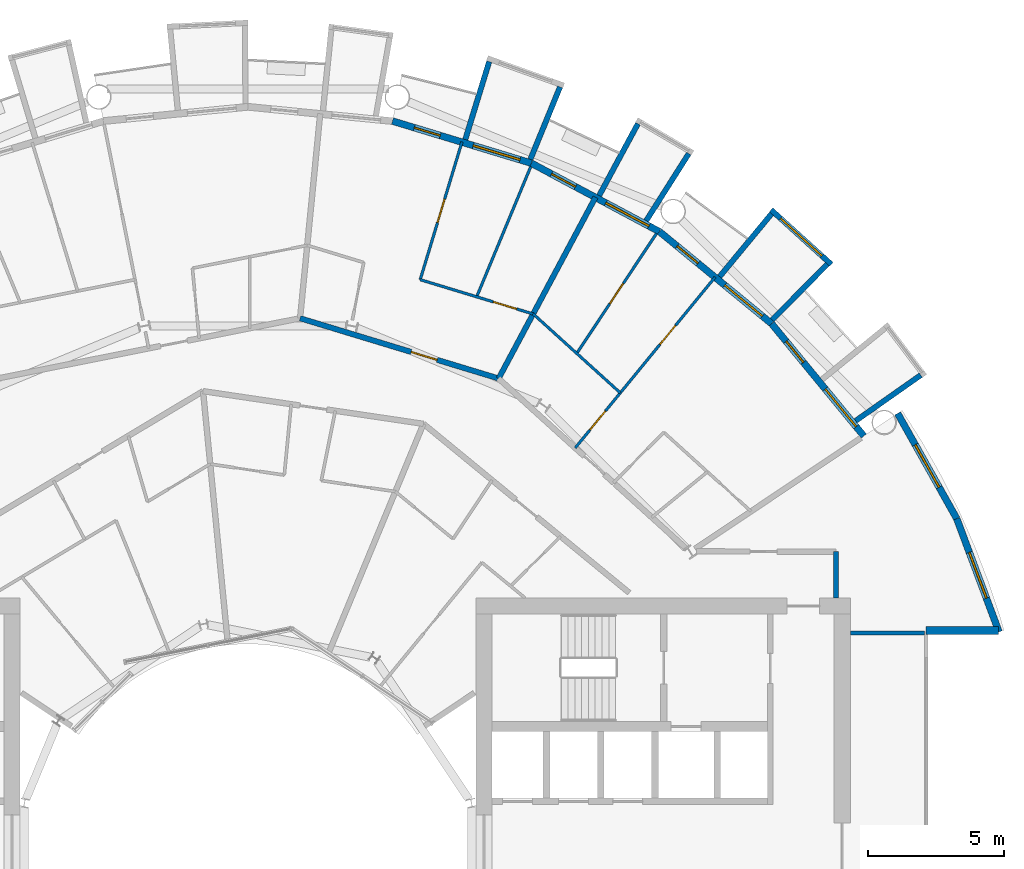
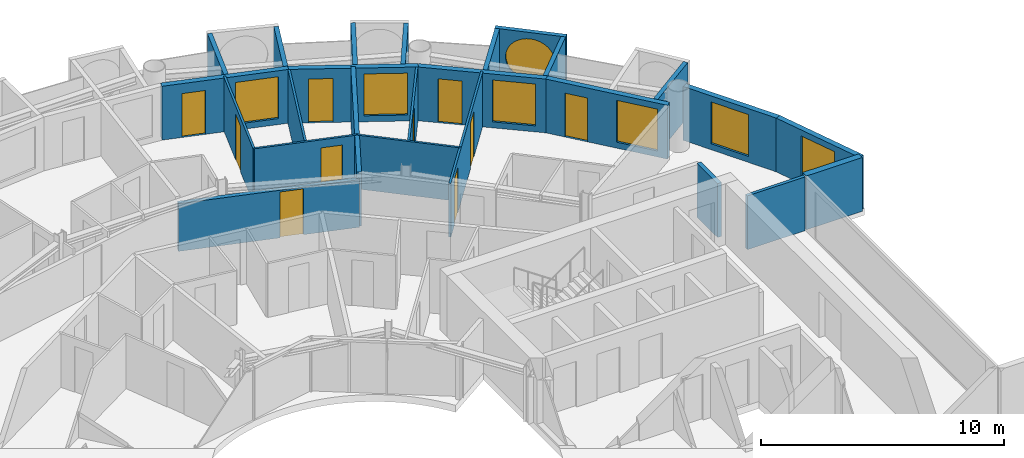
# One storey, part 23 of 28: 25 walls, 10 doors, 7 windows, 17 openings.
"""IFC4 building model written with IfcOpenShell, lengths in metres."""

from ifc_helpers import new_model, si_unit, direction, frame, frame_2d, origin, place, context, subcontext, project, spatial, rectangle, circle, extrude, material, layer, layer_set, type_object, element, fill, save


model = new_model("IFC4")

# Units and contexts
model_context = context("Model", 3, precision=1e-05, world=origin(), true_north=direction((0.0, 1.0)))
body_context = subcontext(model_context, "Body", "Model", "MODEL_VIEW")
ifc_project = project(units=[si_unit("LENGTHUNIT", "METRE"), si_unit("AREAUNIT", "SQUARE_METRE"), si_unit("VOLUMEUNIT", "CUBIC_METRE"), si_unit("PLANEANGLEUNIT", "RADIAN"), si_unit("MASSUNIT", "GRAM", prefix="KILO")], contexts=[model_context])

# Site, building, storey
site_placement = place(None, origin())
site = spatial("IfcSite", under=ifc_project, at=site_placement, CompositionType="ELEMENT")
building_placement = place(site_placement, origin())
building = spatial("IfcBuilding", under=site, at=building_placement, Name="Maasbend Ring Residences", CompositionType="ELEMENT")
storey_placement = place(building_placement, frame((0.0, 0.0, 133.0)))
storey = spatial("IfcBuildingStorey", under=building, at=storey_placement, Name="L38", CompositionType="ELEMENT", Elevation=133.0)

# Wall
ifc_material_1 = material(Name="Concrete C30/37", Category="concrete")
ifc_layer_1 = layer(ifc_material_1, 0.199951171875)
ifc_layer_set_1 = layer_set([ifc_layer_1], Name="Concrete C30/37")
wall_type_1 = type_object("IfcWallType", Name="CORRIDOR WALL 200 CONCRETE", PredefinedType="PARTITIONING", material=ifc_layer_set_1)
wall_1_placement = place(storey_placement, frame((21.675048828125, 9.199951171875, 0.0), z_axis=(0.0, 0.0, 1.0), x_axis=(0.0, 1.0, 0.0)))
element("IfcWall", 1, at=wall_1_placement, inside=storey, type_object=wall_type_1, Name="U-L38-w004", PredefinedType="PARTITIONING", context=body_context, shape_type="SweptSolid", body=[
    extrude(rectangle(XDim=1.699951171875, YDim=0.199951171875, at=frame_2d((0.85009765625, 0.0))), origin(), (0.0, 0.0, 1.0), 2.699951171875),
])

# Wall, opening, door
wall_2_placement = place(storey_placement, frame((1.9208984375, 19.506103515625, 0.0), z_axis=(0.0, 0.0, 1.0), x_axis=(0.956929842753, -0.290319265721, 0.0)))
wall_2 = element("IfcWall", 2, at=wall_2_placement, inside=storey, type_object=wall_type_1, Name="U-L38-w116", PredefinedType="PARTITIONING", context=body_context, shape_type="SweptSolid", body=[
    extrude(rectangle(XDim=7.6474609375, YDim=0.199951171875, at=frame_2d((3.82373046875, 0.0))), origin(), (0.0, 0.0, 1.0), 2.389892578125),
])
opening_1_placement = place(wall_2_placement, frame((4.280029296875, 0.0, 0.0)))
opening_1 = element("IfcOpeningElement", 3, at=opening_1_placement, cuts=wall_2, Name="Opening D-3807", PredefinedType="OPENING", context=body_context, shape_type="SweptSolid", body=[
    extrude(rectangle(XDim=1.0, YDim=2.300048828125, at=frame_2d((0.5, 1.14990234375))), frame((0.0, 0.10986328125, 0.0), z_axis=(0.0, -1.0, 0.0), x_axis=(1.0, 0.0, 0.0)), (0.0, 0.0, 1.0), 0.219970703125),
])
ifc_material_2 = material(Name="Timber, fire-rated, painted", Category="wood")
door_type_1 = type_object("IfcDoorType", Name="FLAT ENTRANCE DOOR 1000 X 2300 FIRE-RATED", OperationType="NOTDEFINED", PredefinedType="DOOR", material=ifc_material_2)
door_1_placement = place(opening_1_placement, origin())
door_1 = element("IfcDoor", 4, at=door_1_placement, inside=storey, type_object=door_type_1, Name="D-3807", OperationType="SINGLE_SWING_RIGHT", OverallHeight=2.300048828125, OverallWidth=1.0, PredefinedType="DOOR", context=body_context, shape_type="SweptSolid", body=[
    extrude(rectangle(XDim=1.0, YDim=2.300048828125, at=frame_2d((0.5, 1.14990234375))), frame((0.0, 0.02490234375, 0.0), z_axis=(0.0, -1.0, 0.0), x_axis=(1.0, 0.0, 0.0)), (0.0, 0.0, 1.0), 0.050048828125),
])
fill(opening_1, door_1)

# Wall
ifc_material_3 = material(Name="Pale anodised aluminium panel", Category="aluminium")
ifc_layer_2 = layer(ifc_material_3, 0.199951171875)
ifc_layer_set_2 = layer_set([ifc_layer_2], Name="EW-BOX")
wall_type_2 = type_object("IfcWallType", Name="EW-BOX", PredefinedType="SOLIDWALL", material=ifc_layer_set_2)
wall_3_placement = place(storey_placement, frame((22.402099609375, 15.72607421875, -0.030029296875), z_axis=(0.0, 0.0, 1.0), x_axis=(0.818275399393, 0.574826383135, 0.0)))
element("IfcWall", 5, at=wall_3_placement, inside=storey, type_object=wall_type_2, Name="Box side wall N01 left", PredefinedType="SOLIDWALL", context=body_context, shape_type="SweptSolid", body=[
    extrude(rectangle(XDim=2.92919921875, YDim=0.199951171875, at=frame_2d((1.464599609375, 0.0))), origin(), (0.0, 0.0, 1.0), 2.72998046875),
])

# Wall, opening, window
wall_4_placement = place(storey_placement, frame((21.5, 21.492919921875, -0.030029296875), z_axis=(0.0, 0.0, 1.0), x_axis=(-0.740998365753, 0.671506829416, 0.0)))
wall_4 = element("IfcWall", 6, at=wall_4_placement, inside=storey, type_object=wall_type_2, Name="Box front N03", PredefinedType="SOLIDWALL", context=body_context, shape_type="SweptSolid", body=[
    extrude(rectangle(XDim=2.9931640625, YDim=0.199951171875, at=frame_2d((1.49658203125, 0.0))), origin(), (0.0, 0.0, 1.0), 2.72998046875),
])
opening_2_placement = place(wall_4_placement, frame((0.45654296875, 0.0, 0.330078125)))
opening_2 = element("IfcOpeningElement", 7, at=opening_2_placement, cuts=wall_4, Name="Opening W-RD", PredefinedType="OPENING", context=body_context, shape_type="SweptSolid", body=[
    extrude(circle(Radius=1.0400390625, at=frame_2d((1.0400390625, 1.0400390625))), frame((0.0, 0.10986328125, 0.0), z_axis=(0.0, -1.0, 0.0), x_axis=(1.0, 0.0, 0.0)), (0.0, 0.0, 1.0), 0.219970703125),
])
ifc_material_4 = material(Name="Aluminium and clear glass", Category="aluminium")
window_type_1 = type_object("IfcWindowType", Name="W-RD", PartitioningType="SINGLE_PANEL", PredefinedType="WINDOW", material=ifc_material_4)
window_1_placement = place(opening_2_placement, origin())
window_1 = element("IfcWindow", 8, at=window_1_placement, inside=storey, type_object=window_type_1, Name="Round window N03", OverallHeight=2.080078125, OverallWidth=2.080078125, PartitioningType="SINGLE_PANEL", PredefinedType="WINDOW", context=body_context, shape_type="SweptSolid", body=[
    extrude(circle(Radius=1.0400390625, at=frame_2d((1.0400390625, 1.0400390625))), frame((0.0, 0.030029296875, 0.0), z_axis=(0.0, -1.0, 0.0), x_axis=(1.0, 0.0, 0.0)), (0.0, 0.0, 1.0), 0.06005859375),
])
fill(opening_2, window_1)

# Walls
wall_5_placement = place(storey_placement, frame((19.322998046875, 19.449951171875, -0.030029296875), z_axis=(0.0, 0.0, 1.0), x_axis=(0.704476739375, 0.709727076896, 0.0)))
element("IfcWall", 9, at=wall_5_placement, inside=storey, type_object=wall_type_2, Name="Box side wall N03 left", PredefinedType="SOLIDWALL", context=body_context, shape_type="SweptSolid", body=[
    extrude(rectangle(XDim=2.883056640625, YDim=0.199951171875, at=frame_2d((1.44140625, 0.0))), origin(), (0.0, 0.0, 1.0), 2.72998046875),
])
wall_6_placement = place(storey_placement, frame((17.384033203125, 21.041015625, -0.030029296875), z_axis=(0.0, 0.0, 1.0), x_axis=(0.63709551667, 0.770784861449, 0.0)))
element("IfcWall", 10, at=wall_6_placement, inside=storey, type_object=wall_type_2, Name="Box side wall N03 right", PredefinedType="SOLIDWALL", context=body_context, shape_type="SweptSolid", body=[
    extrude(rectangle(XDim=3.005859375, YDim=0.199951171875, at=frame_2d((1.5029296875, 0.0))), origin(), (0.0, 0.0, 1.0), 2.72998046875),
])
wall_7_placement = place(storey_placement, frame((14.677978515625, 23.10205078125, -0.030029296875), z_axis=(0.0, 0.0, 1.0), x_axis=(0.536001536573, 0.844217005746, 0.0)))
element("IfcWall", 11, at=wall_7_placement, inside=storey, type_object=wall_type_2, Name="Box side wall N05 left", PredefinedType="SOLIDWALL", context=body_context, shape_type="SweptSolid", body=[
    extrude(rectangle(XDim=2.92919921875, YDim=0.199951171875, at=frame_2d((1.464599609375, 0.0))), origin(), (0.0, 0.0, 1.0), 2.72998046875),
])
wall_8_placement = place(storey_placement, frame((12.945068359375, 24.029052734375, -0.030029296875), z_axis=(0.0, 0.0, 1.0), x_axis=(0.474424310775, 0.88029629861, 0.0)))
element("IfcWall", 12, at=wall_8_placement, inside=storey, type_object=wall_type_2, Name="Box side wall N05 right", PredefinedType="SOLIDWALL", context=body_context, shape_type="SweptSolid", body=[
    extrude(rectangle(XDim=3.005859375, YDim=0.199951171875, at=frame_2d((1.5029296875, 0.0))), origin(), (0.0, 0.0, 1.0), 2.72998046875),
])
wall_9_placement = place(storey_placement, frame((10.408935546875, 25.364013671875, -0.030029296875), z_axis=(0.0, 0.0, 1.0), x_axis=(0.379509886562, 0.925187681501, 0.0)))
element("IfcWall", 13, at=wall_9_placement, inside=storey, type_object=wall_type_2, Name="Box side wall N07 left", PredefinedType="SOLIDWALL", context=body_context, shape_type="SweptSolid", body=[
    extrude(rectangle(XDim=2.882568359375, YDim=0.199951171875, at=frame_2d((1.44140625, 0.0))), origin(), (0.0, 0.0, 1.0), 2.72998046875),
])
wall_10_placement = place(storey_placement, frame((8.009033203125, 26.092041015625, -0.030029296875), z_axis=(0.0, 0.0, 1.0), x_axis=(0.293406695073, 0.955987715029, 0.0)))
element("IfcWall", 14, at=wall_10_placement, inside=storey, type_object=wall_type_2, Name="Box side wall N07 right", PredefinedType="SOLIDWALL", context=body_context, shape_type="SweptSolid", body=[
    extrude(rectangle(XDim=3.00634765625, YDim=0.199951171875, at=frame_2d((1.503173828125, 0.0))), origin(), (0.0, 0.0, 1.0), 2.72998046875),
])

# Wall, openings, door, window
ifc_material_5 = material(Name="Aluminium clad insulated panel", Category="aluminium")
ifc_layer_3 = layer(ifc_material_5, 0.25)
ifc_layer_set_3 = layer_set([ifc_layer_3], Name="EW-GL")
wall_type_3 = type_object("IfcWallType", Name="EW-GL", PredefinedType="SOLIDWALL", material=ifc_layer_set_3)
wall_11_placement = place(storey_placement, frame((22.698974609375, 15.1669921875, 0.0), z_axis=(0.0, 0.0, 1.0), x_axis=(-0.634382322723, 0.773019449054, 0.0)))
wall_11 = element("IfcWall", 15, at=wall_11_placement, inside=storey, type_object=wall_type_3, Name="External wall N01", PredefinedType="SOLIDWALL", context=body_context, shape_type="SweptSolid", body=[
    extrude(rectangle(XDim=5.351806640625, YDim=0.25, at=frame_2d((2.67578125, 0.0))), origin(), (0.0, 0.0, 1.0), 2.699951171875),
])
opening_3_placement = place(wall_11_placement, frame((0.441162109375, 0.0, 0.300048828125)))
opening_3 = element("IfcOpeningElement", 16, at=opening_3_placement, cuts=wall_11, Name="Opening W-BX", PredefinedType="OPENING", context=body_context, shape_type="SweptSolid", body=[
    extrude(rectangle(XDim=1.800048828125, YDim=2.10009765625, at=frame_2d((0.89990234375, 1.050048828125))), frame((0.0, 0.135009765625, 0.0), z_axis=(0.0, -1.0, 0.0), x_axis=(1.0, 0.0, 0.0)), (0.0, 0.0, 1.0), 0.27001953125),
])
opening_4_placement = place(wall_11_placement, frame((3.510498046875, 0.0, 0.0)))
opening_4 = element("IfcOpeningElement", 17, at=opening_4_placement, cuts=wall_11, Name="Opening D-LG", PredefinedType="OPENING", context=body_context, shape_type="SweptSolid", body=[
    extrude(rectangle(XDim=1.0, YDim=2.199951171875, at=frame_2d((0.5, 1.10009765625))), frame((0.0, 0.135009765625, 0.0), z_axis=(0.0, -1.0, 0.0), x_axis=(1.0, 0.0, 0.0)), (0.0, 0.0, 1.0), 0.27001953125),
])
ifc_material_6 = material(Name="Aluminium and clear glass", Category="aluminium")
door_type_2 = type_object("IfcDoorType", Name="D-LG", OperationType="SINGLE_SWING_LEFT", PredefinedType="DOOR", material=ifc_material_6)
door_2_placement = place(opening_4_placement, origin())
door_2 = element("IfcDoor", 18, at=door_2_placement, inside=storey, type_object=door_type_2, Name="Loggia door N02", OperationType="SINGLE_SWING_LEFT", OverallHeight=2.199951171875, OverallWidth=1.0, PredefinedType="DOOR", context=body_context, shape_type="SweptSolid", body=[
    extrude(rectangle(XDim=1.0, YDim=2.199951171875, at=frame_2d((0.5, 1.10009765625))), frame((0.0, 0.02490234375, 0.0), z_axis=(0.0, -1.0, 0.0), x_axis=(1.0, 0.0, 0.0)), (0.0, 0.0, 1.0), 0.050048828125),
])
fill(opening_4, door_2)
ifc_material_7 = material(Name="Aluminium and clear glass", Category="aluminium")
window_type_2 = type_object("IfcWindowType", Name="W-BX", PartitioningType="DOUBLE_PANEL_VERTICAL", PredefinedType="WINDOW", material=ifc_material_7)
window_2_placement = place(opening_3_placement, origin())
window_2 = element("IfcWindow", 19, at=window_2_placement, inside=storey, type_object=window_type_2, Name="Window N01 room to box", OverallHeight=2.10009765625, OverallWidth=1.800048828125, PartitioningType="SINGLE_PANEL", PredefinedType="WINDOW", context=body_context, shape_type="SweptSolid", body=[
    extrude(rectangle(XDim=1.800048828125, YDim=2.10009765625, at=frame_2d((0.89990234375, 1.050048828125))), frame((0.0, 0.030029296875, 0.0), z_axis=(0.0, -1.0, 0.0), x_axis=(1.0, 0.0, 0.0)), (0.0, 0.0, 1.0), 0.06005859375),
])
fill(opening_3, window_2)

wall_12_placement = place(storey_placement, frame((19.303955078125, 19.303955078125, 0.0), z_axis=(0.0, 0.0, 1.0), x_axis=(-0.773019449054, 0.634382322723, 0.0)))
wall_12 = element("IfcWall", 20, at=wall_12_placement, inside=storey, type_object=wall_type_3, Name="External wall N02", PredefinedType="SOLIDWALL", context=body_context, shape_type="SweptSolid", body=[
    extrude(rectangle(XDim=5.351806640625, YDim=0.25, at=frame_2d((2.67578125, 0.0))), origin(), (0.0, 0.0, 1.0), 2.699951171875),
])
opening_5_placement = place(wall_12_placement, frame((0.441162109375, 0.0, 0.300048828125)))
opening_5 = element("IfcOpeningElement", 21, at=opening_5_placement, cuts=wall_12, Name="Opening W-BX", PredefinedType="OPENING", context=body_context, shape_type="SweptSolid", body=[
    extrude(rectangle(XDim=1.800048828125, YDim=2.10009765625, at=frame_2d((0.89990234375, 1.050048828125))), frame((0.0, 0.135009765625, 0.0), z_axis=(0.0, -1.0, 0.0), x_axis=(1.0, 0.0, 0.0)), (0.0, 0.0, 1.0), 0.27001953125),
])
opening_6_placement = place(wall_12_placement, frame((3.510498046875, 0.0, 0.0)))
opening_6 = element("IfcOpeningElement", 22, at=opening_6_placement, cuts=wall_12, Name="Opening D-LG", PredefinedType="OPENING", context=body_context, shape_type="SweptSolid", body=[
    extrude(rectangle(XDim=1.0, YDim=2.199951171875, at=frame_2d((0.5, 1.10009765625))), frame((0.0, 0.135009765625, 0.0), z_axis=(0.0, -1.0, 0.0), x_axis=(1.0, 0.0, 0.0)), (0.0, 0.0, 1.0), 0.27001953125),
])
door_3_placement = place(opening_6_placement, origin())
door_3 = element("IfcDoor", 23, at=door_3_placement, inside=storey, type_object=door_type_2, Name="Loggia door N04", OperationType="SINGLE_SWING_LEFT", OverallHeight=2.199951171875, OverallWidth=1.0, PredefinedType="DOOR", context=body_context, shape_type="SweptSolid", body=[
    extrude(rectangle(XDim=1.0, YDim=2.199951171875, at=frame_2d((0.5, 1.10009765625))), frame((0.0, 0.02490234375, 0.0), z_axis=(0.0, -1.0, 0.0), x_axis=(1.0, 0.0, 0.0)), (0.0, 0.0, 1.0), 0.050048828125),
])
fill(opening_6, door_3)
window_3_placement = place(opening_5_placement, origin())
window_3 = element("IfcWindow", 24, at=window_3_placement, inside=storey, type_object=window_type_2, Name="Window N03 room to box", OverallHeight=2.10009765625, OverallWidth=1.800048828125, PartitioningType="SINGLE_PANEL", PredefinedType="WINDOW", context=body_context, shape_type="SweptSolid", body=[
    extrude(rectangle(XDim=1.800048828125, YDim=2.10009765625, at=frame_2d((0.89990234375, 1.050048828125))), frame((0.0, 0.030029296875, 0.0), z_axis=(0.0, -1.0, 0.0), x_axis=(1.0, 0.0, 0.0)), (0.0, 0.0, 1.0), 0.06005859375),
])
fill(opening_5, window_3)

wall_13_placement = place(storey_placement, frame((15.1669921875, 22.698974609375, 0.0), z_axis=(0.0, 0.0, 1.0), x_axis=(-0.881915646801, 0.471407246368, 0.0)))
wall_13 = element("IfcWall", 25, at=wall_13_placement, inside=storey, type_object=wall_type_3, Name="External wall N03", PredefinedType="SOLIDWALL", context=body_context, shape_type="SweptSolid", body=[
    extrude(rectangle(XDim=5.35205078125, YDim=0.25, at=frame_2d((2.676025390625, 0.0))), origin(), (0.0, 0.0, 1.0), 2.699951171875),
])
opening_7_placement = place(wall_13_placement, frame((0.441162109375, 0.0, 0.300048828125)))
opening_7 = element("IfcOpeningElement", 26, at=opening_7_placement, cuts=wall_13, Name="Opening W-BX", PredefinedType="OPENING", context=body_context, shape_type="SweptSolid", body=[
    extrude(rectangle(XDim=1.800048828125, YDim=2.10009765625, at=frame_2d((0.89990234375, 1.050048828125))), frame((0.0, 0.135009765625, 0.0), z_axis=(0.0, -1.0, 0.0), x_axis=(1.0, 0.0, 0.0)), (0.0, 0.0, 1.0), 0.27001953125),
])
opening_8_placement = place(wall_13_placement, frame((3.510498046875, 0.0, 0.0)))
opening_8 = element("IfcOpeningElement", 27, at=opening_8_placement, cuts=wall_13, Name="Opening D-LG", PredefinedType="OPENING", context=body_context, shape_type="SweptSolid", body=[
    extrude(rectangle(XDim=1.0, YDim=2.199951171875, at=frame_2d((0.5, 1.10009765625))), frame((0.0, 0.135009765625, 0.0), z_axis=(0.0, -1.0, 0.0), x_axis=(1.0, 0.0, 0.0)), (0.0, 0.0, 1.0), 0.27001953125),
])
door_4_placement = place(opening_8_placement, origin())
door_4 = element("IfcDoor", 28, at=door_4_placement, inside=storey, type_object=door_type_2, Name="Loggia door N06", OperationType="SINGLE_SWING_LEFT", OverallHeight=2.199951171875, OverallWidth=1.0, PredefinedType="DOOR", context=body_context, shape_type="SweptSolid", body=[
    extrude(rectangle(XDim=1.0, YDim=2.199951171875, at=frame_2d((0.5, 1.10009765625))), frame((0.0, 0.02490234375, 0.0), z_axis=(0.0, -1.0, 0.0), x_axis=(1.0, 0.0, 0.0)), (0.0, 0.0, 1.0), 0.050048828125),
])
fill(opening_8, door_4)
window_4_placement = place(opening_7_placement, origin())
window_4 = element("IfcWindow", 29, at=window_4_placement, inside=storey, type_object=window_type_2, Name="Window N05 room to box", OverallHeight=2.10009765625, OverallWidth=1.800048828125, PartitioningType="SINGLE_PANEL", PredefinedType="WINDOW", context=body_context, shape_type="SweptSolid", body=[
    extrude(rectangle(XDim=1.800048828125, YDim=2.10009765625, at=frame_2d((0.89990234375, 1.050048828125))), frame((0.0, 0.030029296875, 0.0), z_axis=(0.0, -1.0, 0.0), x_axis=(1.0, 0.0, 0.0)), (0.0, 0.0, 1.0), 0.06005859375),
])
fill(opening_7, window_4)

wall_14_placement = place(storey_placement, frame((10.447021484375, 25.221923828125, 0.0), z_axis=(0.0, 0.0, 1.0), x_axis=(-0.956965678721, 0.290201119486, 0.0)))
wall_14 = element("IfcWall", 30, at=wall_14_placement, inside=storey, type_object=wall_type_3, Name="External wall N04", PredefinedType="SOLIDWALL", context=body_context, shape_type="SweptSolid", body=[
    extrude(rectangle(XDim=5.351318359375, YDim=0.25, at=frame_2d((2.67578125, 0.0))), origin(), (0.0, 0.0, 1.0), 2.699951171875),
])
opening_9_placement = place(wall_14_placement, frame((0.441162109375, 0.0, 0.300048828125)))
opening_9 = element("IfcOpeningElement", 31, at=opening_9_placement, cuts=wall_14, Name="Opening W-BX", PredefinedType="OPENING", context=body_context, shape_type="SweptSolid", body=[
    extrude(rectangle(XDim=1.800048828125, YDim=2.10009765625, at=frame_2d((0.89990234375, 1.050048828125))), frame((0.0, 0.135009765625, 0.0), z_axis=(0.0, -1.0, 0.0), x_axis=(1.0, 0.0, 0.0)), (0.0, 0.0, 1.0), 0.27001953125),
])
opening_10_placement = place(wall_14_placement, frame((3.510498046875, 0.0, 0.0)))
opening_10 = element("IfcOpeningElement", 32, at=opening_10_placement, cuts=wall_14, Name="Opening D-LG", PredefinedType="OPENING", context=body_context, shape_type="SweptSolid", body=[
    extrude(rectangle(XDim=1.0, YDim=2.199951171875, at=frame_2d((0.5, 1.10009765625))), frame((0.0, 0.135009765625, 0.0), z_axis=(0.0, -1.0, 0.0), x_axis=(1.0, 0.0, 0.0)), (0.0, 0.0, 1.0), 0.27001953125),
])
door_5_placement = place(opening_10_placement, origin())
door_5 = element("IfcDoor", 33, at=door_5_placement, inside=storey, type_object=door_type_2, Name="Loggia door N08", OperationType="SINGLE_SWING_LEFT", OverallHeight=2.199951171875, OverallWidth=1.0, PredefinedType="DOOR", context=body_context, shape_type="SweptSolid", body=[
    extrude(rectangle(XDim=1.0, YDim=2.199951171875, at=frame_2d((0.5, 1.10009765625))), frame((0.0, 0.02490234375, 0.0), z_axis=(0.0, -1.0, 0.0), x_axis=(1.0, 0.0, 0.0)), (0.0, 0.0, 1.0), 0.050048828125),
])
fill(opening_10, door_5)
window_5_placement = place(opening_9_placement, origin())
window_5 = element("IfcWindow", 34, at=window_5_placement, inside=storey, type_object=window_type_2, Name="Window N07 room to box", OverallHeight=2.10009765625, OverallWidth=1.800048828125, PartitioningType="SINGLE_PANEL", PredefinedType="WINDOW", context=body_context, shape_type="SweptSolid", body=[
    extrude(rectangle(XDim=1.800048828125, YDim=2.10009765625, at=frame_2d((0.89990234375, 1.050048828125))), frame((0.0, 0.030029296875, 0.0), z_axis=(0.0, -1.0, 0.0), x_axis=(1.0, 0.0, 0.0)), (0.0, 0.0, 1.0), 0.06005859375),
])
fill(opening_9, window_5)

# Wall, opening, window
ifc_material_8 = material(Name="Aluminium clad insulated panel", Category="aluminium")
ifc_layer_4 = layer(ifc_material_8, 0.25)
ifc_layer_set_4 = layer_set([ifc_layer_4], Name="EW-HORN")
wall_type_4 = type_object("IfcWallType", Name="EW-HORN", PredefinedType="SOLIDWALL", material=ifc_layer_set_4)
wall_15_placement = place(storey_placement, frame((27.681884765625, 7.945068359375, 0.0), z_axis=(0.0, 0.0, 1.0), x_axis=(-0.349247811493, 0.937030397675, 0.0)))
wall_15 = element("IfcWall", 35, at=wall_15_placement, inside=storey, type_object=wall_type_4, Name="Horn wall 1.1", PredefinedType="SOLIDWALL", context=body_context, shape_type="SweptSolid", body=[
    extrude(rectangle(XDim=4.4521484375, YDim=0.25, at=frame_2d((2.22607421875, 0.0))), origin(), (0.0, 0.0, 1.0), 2.699951171875),
])
opening_11_placement = place(wall_15_placement, frame((1.32666015625, 0.0, 0.300048828125)))
opening_11 = element("IfcOpeningElement", 36, at=opening_11_placement, cuts=wall_15, Name="Opening W-BX", PredefinedType="OPENING", context=body_context, shape_type="SweptSolid", body=[
    extrude(rectangle(XDim=1.800048828125, YDim=2.10009765625, at=frame_2d((0.89990234375, 1.050048828125))), frame((0.0, 0.135009765625, 0.0), z_axis=(0.0, -1.0, 0.0), x_axis=(1.0, 0.0, 0.0)), (0.0, 0.0, 1.0), 0.27001953125),
])
window_6_placement = place(opening_11_placement, origin())
window_6 = element("IfcWindow", 37, at=window_6_placement, inside=storey, type_object=window_type_2, Name="Horn window 1.1", OverallHeight=2.10009765625, OverallWidth=1.800048828125, PartitioningType="SINGLE_PANEL", PredefinedType="WINDOW", context=body_context, shape_type="SweptSolid", body=[
    extrude(rectangle(XDim=1.800048828125, YDim=2.10009765625, at=frame_2d((0.89990234375, 1.050048828125))), frame((0.0, 0.030029296875, 0.0), z_axis=(0.0, -1.0, 0.0), x_axis=(1.0, 0.0, 0.0)), (0.0, 0.0, 1.0), 0.06005859375),
])
fill(opening_11, window_6)

wall_16_placement = place(storey_placement, frame((26.126953125, 12.116943359375, 0.0), z_axis=(0.0, 0.0, 1.0), x_axis=(-0.489696356642, 0.871893042919, 0.0)))
wall_16 = element("IfcWall", 38, at=wall_16_placement, inside=storey, type_object=wall_type_4, Name="Horn wall 1.2", PredefinedType="SOLIDWALL", context=body_context, shape_type="SweptSolid", body=[
    extrude(rectangle(XDim=4.45361328125, YDim=0.25, at=frame_2d((2.226806640625, 0.0))), origin(), (0.0, 0.0, 1.0), 2.699951171875),
])
opening_12_placement = place(wall_16_placement, frame((1.32666015625, 0.0, 0.300048828125)))
opening_12 = element("IfcOpeningElement", 39, at=opening_12_placement, cuts=wall_16, Name="Opening W-BX", PredefinedType="OPENING", context=body_context, shape_type="SweptSolid", body=[
    extrude(rectangle(XDim=1.800048828125, YDim=2.10009765625, at=frame_2d((0.89990234375, 1.050048828125))), frame((0.0, 0.135009765625, 0.0), z_axis=(0.0, -1.0, 0.0), x_axis=(1.0, 0.0, 0.0)), (0.0, 0.0, 1.0), 0.27001953125),
])
window_7_placement = place(opening_12_placement, origin())
window_7 = element("IfcWindow", 40, at=window_7_placement, inside=storey, type_object=window_type_2, Name="Horn window 1.2", OverallHeight=2.10009765625, OverallWidth=1.800048828125, PartitioningType="SINGLE_PANEL", PredefinedType="WINDOW", context=body_context, shape_type="SweptSolid", body=[
    extrude(rectangle(XDim=1.800048828125, YDim=2.10009765625, at=frame_2d((0.89990234375, 1.050048828125))), frame((0.0, 0.030029296875, 0.0), z_axis=(0.0, -1.0, 0.0), x_axis=(1.0, 0.0, 0.0)), (0.0, 0.0, 1.0), 0.06005859375),
])
fill(opening_12, window_7)

# Wall
ifc_material_9 = material(Name="Aluminium clad insulated panel", Category="aluminium")
ifc_layer_5 = layer(ifc_material_9, 0.300048828125)
ifc_layer_set_5 = layer_set([ifc_layer_5], Name="EW-RET")
wall_type_5 = type_object("IfcWallType", Name="EW-RET", PredefinedType="SOLIDWALL", material=ifc_layer_set_5)
wall_17_placement = place(storey_placement, frame((25.0, 8.0, 0.0), z_axis=(0.0, 0.0, 1.0), x_axis=(1.0, 0.0, 0.0)))
element("IfcWall", 41, at=wall_17_placement, inside=storey, type_object=wall_type_5, Name="Notch return wall east north", PredefinedType="SOLIDWALL", context=body_context, shape_type="SweptSolid", body=[
    extrude(rectangle(XDim=2.6669921875, YDim=0.300048828125, at=frame_2d((1.33349609375, 0.0))), origin(), (0.0, 0.0, 1.0), 2.699951171875),
])

# Wall, opening, door
ifc_material_10 = material(Name="Gypsum board on steel studs", Category="steel")
ifc_layer_6 = layer(ifc_material_10, 0.10009765625)
ifc_layer_set_6 = layer_set([ifc_layer_6], Name="PARTITION 100 GYPSUM")
wall_type_6 = type_object("IfcWallType", Name="PARTITION 100 GYPSUM", PredefinedType="PARTITIONING", material=ifc_layer_set_6)
wall_18_placement = place(storey_placement, frame((6.34912109375, 20.929931640625, 0.0), z_axis=(0.0, 0.0, 1.0), x_axis=(0.290172218727, 0.956974442438, 0.0)))
wall_18 = element("IfcWall", 42, at=wall_18_placement, inside=storey, type_object=wall_type_6, Name="U-L38-w077", PredefinedType="PARTITIONING", context=body_context, shape_type="SweptSolid", body=[
    extrude(rectangle(XDim=5.30322265625, YDim=0.10009765625, at=frame_2d((2.651611328125, 0.0))), origin(), (0.0, 0.0, 1.0), 2.699951171875),
])
opening_13_placement = place(wall_18_placement, frame((2.201904296875, 0.0, 0.0)))
opening_13 = element("IfcOpeningElement", 43, at=opening_13_placement, cuts=wall_18, Name="Opening D-3809", PredefinedType="OPENING", context=body_context, shape_type="SweptSolid", body=[
    extrude(rectangle(XDim=0.89990234375, YDim=2.300048828125, at=frame_2d((0.449951171875, 1.14990234375))), frame((0.0, 0.06005859375, 0.0), z_axis=(0.0, -1.0, 0.0), x_axis=(1.0, 0.0, 0.0)), (0.0, 0.0, 1.0), 0.1201171875),
])
ifc_material_11 = material(Name="Timber, painted", Category="wood")
door_type_3 = type_object("IfcDoorType", Name="INTERNAL DOOR 900 X 2300", OperationType="NOTDEFINED", PredefinedType="DOOR", material=ifc_material_11)
door_6_placement = place(opening_13_placement, origin())
door_6 = element("IfcDoor", 44, at=door_6_placement, inside=storey, type_object=door_type_3, Name="D-3809", OperationType="SINGLE_SWING_RIGHT", OverallHeight=2.300048828125, OverallWidth=0.89990234375, PredefinedType="DOOR", context=body_context, shape_type="SweptSolid", body=[
    extrude(rectangle(XDim=0.89990234375, YDim=2.300048828125, at=frame_2d((0.449951171875, 1.14990234375))), frame((0.0, 0.02490234375, 0.0), z_axis=(0.0, -1.0, 0.0), x_axis=(1.0, 0.0, 0.0)), (0.0, 0.0, 1.0), 0.050048828125),
])
fill(opening_13, door_6)

# Wall
wall_19_placement = place(storey_placement, frame((8.430908203125, 20.298095703125, 0.0), z_axis=(0.0, 0.0, 1.0), x_axis=(0.383480536297, 0.923548958248, 0.0)))
element("IfcWall", 45, at=wall_19_placement, inside=storey, type_object=wall_type_6, Name="U-L38-w081", PredefinedType="PARTITIONING", context=body_context, shape_type="SweptSolid", body=[
    extrude(rectangle(XDim=5.195068359375, YDim=0.10009765625, at=frame_2d((2.59765625, 0.0))), origin(), (0.0, 0.0, 1.0), 2.699951171875),
])

# Wall, openings, doors
wall_20_placement = place(storey_placement, frame((12.06201171875, 14.72705078125, 0.0), z_axis=(0.0, 0.0, 1.0), x_axis=(0.633664062855, 0.773608334654, 0.0)))
wall_20 = element("IfcWall", 46, at=wall_20_placement, inside=storey, type_object=wall_type_6, Name="U-L38-w087", PredefinedType="PARTITIONING", context=body_context, shape_type="SweptSolid", body=[
    extrude(rectangle(XDim=8.138427734375, YDim=0.10009765625, at=frame_2d((4.0693359375, 0.0))), origin(), (0.0, 0.0, 1.0), 2.699951171875),
])
opening_14_placement = place(wall_20_placement, frame((0.861083984375, 0.0, 0.0)))
opening_14 = element("IfcOpeningElement", 47, at=opening_14_placement, cuts=wall_20, Name="Opening D-3804", PredefinedType="OPENING", context=body_context, shape_type="SweptSolid", body=[
    extrude(rectangle(XDim=0.89990234375, YDim=2.300048828125, at=frame_2d((0.449951171875, 1.14990234375))), frame((0.0, 0.06005859375, 0.0), z_axis=(0.0, -1.0, 0.0), x_axis=(1.0, 0.0, 0.0)), (0.0, 0.0, 1.0), 0.1201171875),
])
opening_15_placement = place(wall_20_placement, frame((4.931884765625, 0.0, 0.0)))
opening_15 = element("IfcOpeningElement", 48, at=opening_15_placement, cuts=wall_20, Name="Opening D-3805", PredefinedType="OPENING", context=body_context, shape_type="SweptSolid", body=[
    extrude(rectangle(XDim=0.89990234375, YDim=2.300048828125, at=frame_2d((0.449951171875, 1.14990234375))), frame((0.0, 0.06005859375, 0.0), z_axis=(0.0, -1.0, 0.0), x_axis=(1.0, 0.0, 0.0)), (0.0, 0.0, 1.0), 0.1201171875),
])
door_7_placement = place(opening_14_placement, origin())
door_7 = element("IfcDoor", 49, at=door_7_placement, inside=storey, type_object=door_type_3, Name="D-3804", OperationType="SINGLE_SWING_LEFT", OverallHeight=2.300048828125, OverallWidth=0.89990234375, PredefinedType="DOOR", context=body_context, shape_type="SweptSolid", body=[
    extrude(rectangle(XDim=0.89990234375, YDim=2.300048828125, at=frame_2d((0.449951171875, 1.14990234375))), frame((0.0, 0.02490234375, 0.0), z_axis=(0.0, -1.0, 0.0), x_axis=(1.0, 0.0, 0.0)), (0.0, 0.0, 1.0), 0.050048828125),
])
fill(opening_14, door_7)
door_8_placement = place(opening_15_placement, origin())
door_8 = element("IfcDoor", 50, at=door_8_placement, inside=storey, type_object=door_type_3, Name="D-3805", OperationType="SINGLE_SWING_RIGHT", OverallHeight=2.300048828125, OverallWidth=0.89990234375, PredefinedType="DOOR", context=body_context, shape_type="SweptSolid", body=[
    extrude(rectangle(XDim=0.89990234375, YDim=2.300048828125, at=frame_2d((0.449951171875, 1.14990234375))), frame((0.0, 0.02490234375, 0.0), z_axis=(0.0, -1.0, 0.0), x_axis=(1.0, 0.0, 0.0)), (0.0, 0.0, 1.0), 0.050048828125),
])
fill(opening_15, door_8)

# Wall, opening, door
wall_21_placement = place(storey_placement, frame((12.117919921875, 18.2109375, 0.0), z_axis=(0.0, 0.0, 1.0), x_axis=(0.553913391217, 0.832574294, 0.0)))
wall_21 = element("IfcWall", 51, at=wall_21_placement, inside=storey, type_object=wall_type_6, Name="U-L38-w089", PredefinedType="PARTITIONING", context=body_context, shape_type="SweptSolid", body=[
    extrude(rectangle(XDim=5.300537109375, YDim=0.10009765625, at=frame_2d((2.650390625, 0.0))), origin(), (0.0, 0.0, 1.0), 2.699951171875),
])
opening_16_placement = place(wall_21_placement, frame((2.199951171875, 0.0, 0.0)))
opening_16 = element("IfcOpeningElement", 52, at=opening_16_placement, cuts=wall_21, Name="Opening D-3806", PredefinedType="OPENING", context=body_context, shape_type="SweptSolid", body=[
    extrude(rectangle(XDim=0.89990234375, YDim=2.300048828125, at=frame_2d((0.449951171875, 1.14990234375))), frame((0.0, 0.06005859375, 0.0), z_axis=(0.0, -1.0, 0.0), x_axis=(1.0, 0.0, 0.0)), (0.0, 0.0, 1.0), 0.1201171875),
])
door_9_placement = place(opening_16_placement, origin())
door_9 = element("IfcDoor", 53, at=door_9_placement, inside=storey, type_object=door_type_3, Name="D-3806", OperationType="SINGLE_SWING_LEFT", OverallHeight=2.300048828125, OverallWidth=0.89990234375, PredefinedType="DOOR", context=body_context, shape_type="SweptSolid", body=[
    extrude(rectangle(XDim=0.89990234375, YDim=2.300048828125, at=frame_2d((0.449951171875, 1.14990234375))), frame((0.0, 0.02490234375, 0.0), z_axis=(0.0, -1.0, 0.0), x_axis=(1.0, 0.0, 0.0)), (0.0, 0.0, 1.0), 0.050048828125),
])
fill(opening_16, door_9)

# Wall
wall_22_placement = place(storey_placement, frame((10.509033203125, 19.6689453125, 0.0), z_axis=(0.0, 0.0, 1.0), x_axis=(0.7410823244, -0.671414170584, 0.0)))
element("IfcWall", 54, at=wall_22_placement, inside=storey, type_object=wall_type_6, Name="U-L38-w121", PredefinedType="PARTITIONING", context=body_context, shape_type="SweptSolid", body=[
    extrude(rectangle(XDim=4.33837890625, YDim=0.10009765625, at=frame_2d((2.169189453125, 0.0))), origin(), (0.0, 0.0, 1.0), 2.699951171875),
])

# Wall, opening, door
wall_23_placement = place(storey_placement, frame((6.35107421875, 20.927978515625, 0.0), z_axis=(0.0, 0.0, 1.0), x_axis=(0.956861661621, -0.290543904633, 0.0)))
wall_23 = element("IfcWall", 55, at=wall_23_placement, inside=storey, type_object=wall_type_6, Name="U-L38-w126", PredefinedType="PARTITIONING", context=body_context, shape_type="SweptSolid", body=[
    extrude(rectangle(XDim=4.35693359375, YDim=0.10009765625, at=frame_2d((2.178466796875, 0.0))), origin(), (0.0, 0.0, 1.0), 2.699951171875),
])
opening_17_placement = place(wall_23_placement, frame((2.81201171875, 0.0, 0.0)))
opening_17 = element("IfcOpeningElement", 56, at=opening_17_placement, cuts=wall_23, Name="Opening D-3810", PredefinedType="OPENING", context=body_context, shape_type="SweptSolid", body=[
    extrude(rectangle(XDim=0.89990234375, YDim=2.300048828125, at=frame_2d((0.449951171875, 1.14990234375))), frame((0.0, 0.06005859375, 0.0), z_axis=(0.0, -1.0, 0.0), x_axis=(1.0, 0.0, 0.0)), (0.0, 0.0, 1.0), 0.1201171875),
])
door_10_placement = place(opening_17_placement, origin())
door_10 = element("IfcDoor", 57, at=door_10_placement, inside=storey, type_object=door_type_3, Name="D-3810", OperationType="SINGLE_SWING_RIGHT", OverallHeight=2.300048828125, OverallWidth=0.89990234375, PredefinedType="DOOR", context=body_context, shape_type="SweptSolid", body=[
    extrude(rectangle(XDim=0.89990234375, YDim=2.300048828125, at=frame_2d((0.449951171875, 1.14990234375))), frame((0.0, 0.02490234375, 0.0), z_axis=(0.0, -1.0, 0.0), x_axis=(1.0, 0.0, 0.0)), (0.0, 0.0, 1.0), 0.050048828125),
])
fill(opening_17, door_10)

# Walls
ifc_material_12 = material(Name="Gypsum board on steel studs", Category="steel")
ifc_layer_7 = layer(ifc_material_12, 0.14990234375)
ifc_layer_set_7 = layer_set([ifc_layer_7], Name="PARTITION 150 EI 60")
wall_type_7 = type_object("IfcWallType", Name="PARTITION 150 EI 60", PredefinedType="PARTITIONING", material=ifc_layer_set_7)
wall_24_placement = place(storey_placement, frame((22.199951171875, 7.89990234375, 0.0), z_axis=(0.0, 0.0, 1.0), x_axis=(1.0, 0.0, 0.0)))
element("IfcWall", 58, at=wall_24_placement, inside=storey, type_object=wall_type_7, Name="L38 core E wall CITN", PredefinedType="PARTITIONING", context=body_context, shape_type="SweptSolid", body=[
    extrude(rectangle(XDim=2.739990234375, YDim=0.14990234375, at=frame_2d((1.3701171875, 0.0))), origin(), (0.0, 0.0, 1.0), 2.699951171875),
])
ifc_material_13 = material(Name="Concrete C30/37", Category="concrete")
ifc_layer_8 = layer(ifc_material_13, 0.199951171875)
ifc_layer_set_8 = layer_set([ifc_layer_8], Name="Concrete C30/37")
wall_type_8 = type_object("IfcWallType", Name="PARTY WALL 200 CONCRETE", PredefinedType="PARTITIONING", material=ifc_layer_set_8)
wall_25_placement = place(storey_placement, frame((9.239013671875, 17.285888671875, 0.0), z_axis=(0.0, 0.0, 1.0), x_axis=(0.471439510802, 0.881898399848, 0.0)))
element("IfcWall", 59, at=wall_25_placement, inside=storey, type_object=wall_type_8, Name="U-L38-w083", PredefinedType="PARTITIONING", context=body_context, shape_type="SweptSolid", body=[
    extrude(rectangle(XDim=7.57470703125, YDim=0.199951171875, at=frame_2d((3.787353515625, 0.0))), origin(), (0.0, 0.0, 1.0), 2.699951171875),
])

save(model, "model.ifc")
